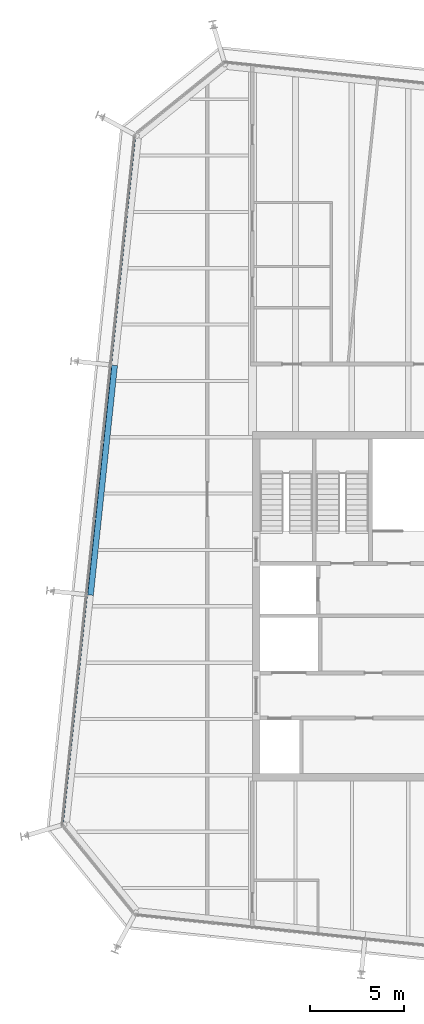
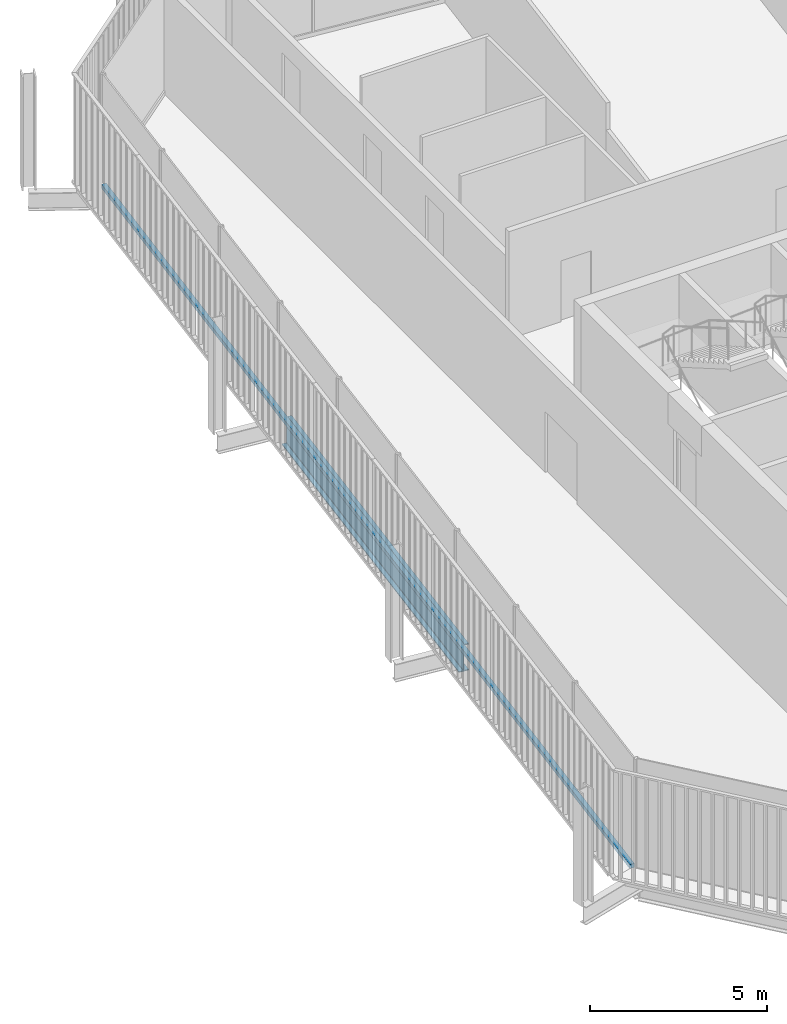
# One storey, part 7 of 19: 1 beam, 1 member, 1 element without a shape of its own.
"""IFC4 building model written with IfcOpenShell, lengths in metres."""

from ifc_helpers import new_model, si_unit, direction, frame, origin, origin_2d, place, context, subcontext, project, spatial, rectangle, i_section, extrude, material, layer, layer_set, material_profile, profile_set, type_object, element, aggregate, save


model = new_model("IFC4")

# Units and contexts
model_context = context("Model", 3, precision=1e-05, world=origin(), true_north=direction((0.0, 1.0)))
body_context = subcontext(model_context, "Body", "Model", "MODEL_VIEW")
ifc_project = project(units=[si_unit("LENGTHUNIT", "METRE"), si_unit("AREAUNIT", "SQUARE_METRE"), si_unit("VOLUMEUNIT", "CUBIC_METRE"), si_unit("PLANEANGLEUNIT", "RADIAN"), si_unit("MASSUNIT", "GRAM", prefix="KILO")], contexts=[model_context])

# Site, building, storey
site_placement = place(None, origin())
site = spatial("IfcSite", under=ifc_project, at=site_placement, CompositionType="ELEMENT")
building_placement = place(site_placement, origin())
building = spatial("IfcBuilding", under=site, at=building_placement, Name="Millrace Tower", CompositionType="ELEMENT")
storey_placement = place(building_placement, frame((0.0, 0.0, 338.199951171875)))
storey = spatial("IfcBuildingStorey", under=building, at=storey_placement, Name="L78", CompositionType="ELEMENT", Elevation=338.199951171875)

# Curtain wall, member
ifc_material_1 = material(Name="Aluminium and glass", Category="aluminium")
ifc_layer = layer(ifc_material_1, 0.14990234375)
ifc_layer_set = layer_set([ifc_layer], Name="Aluminium and glass")
curtain_wall_type = type_object("IfcCurtainWallType", Name="CW-1 office vision curtain wall", PredefinedType="NOTDEFINED", material=ifc_layer_set)
curtain_wall_placement = place(storey_placement, origin())
curtain_wall = element("IfcCurtainWall", 1, at=curtain_wall_placement, inside=storey, type_object=curtain_wall_type, Name="Curtain wall E-F08 L78", PredefinedType="NOTDEFINED")
ifc_material_2 = material(Name="Aluminium", Category="aluminium")
ifc_material_profile_1 = material_profile(ifc_material_2, rectangle(XDim=0.14990234375, YDim=0.139892578125, at=origin_2d()))
ifc_profile_set_1 = profile_set([ifc_material_profile_1], Name="Aluminium")
member_type = type_object("IfcMemberType", Name="CW-1 office vision curtain wall transom", PredefinedType="USERDEFINED", material=ifc_profile_set_1)
member_placement = place(storey_placement, frame((-20.581787109375, 24.9853515625, 0.070068359375), z_axis=(-0.104527916025, -0.994521952886, 0.0), x_axis=(0.994521952886, -0.104527916025, 0.0)))
member = element("IfcMember", 2, at=member_placement, type_object=member_type, Name="CW1 transom E-F08.1", ObjectType="TRANSOM", PredefinedType="USERDEFINED", context=body_context, shape_type="SweptSolid", body=[
    extrude(rectangle(XDim=0.14990234375, YDim=0.139892578125, at=origin_2d()), origin(), (0.0, 0.0, 1.0), 36.699951171875),
])
aggregate(curtain_wall, [member])

# Beam
ifc_material_3 = material(Name="Steel ASTM A992 Grade 50", Category="steel")
ifc_material_profile_2 = material_profile(ifc_material_3, i_section(OverallWidth=0.307373046875, OverallDepth=0.927001953125, WebThickness=0.01953125, FlangeThickness=0.031982421875, FilletRadius=0.01904296875, at=origin_2d()))
ifc_profile_set_2 = profile_set([ifc_material_profile_2], Name="Steel ASTM A992 Grade 50")
beam_type = type_object("IfcBeamType", Name="Ring beam medium span W36x194", PredefinedType="SPANDREL", material=ifc_profile_set_2)
beam_placement = place(storey_placement, frame((-22.915283203125, 0.595703125, -0.62353515625), z_axis=(0.104523600289, 0.994522406476, 0.0), x_axis=(-0.994522406476, 0.104523600289, 0.0)))
element("IfcBeam", 3, at=beam_placement, inside=storey, type_object=beam_type, Name="RNG-E-L78-S1-02", PredefinedType="SPANDREL", context=body_context, shape_type="SweptSolid", body=[
    extrude(i_section(OverallWidth=0.307373046875, OverallDepth=0.927001953125, WebThickness=0.01953125, FlangeThickness=0.031982421875, FilletRadius=0.01904296875, at=origin_2d()), origin(), (0.0, 0.0, 1.0), 12.300048828125),
])

save(model, "model.ifc")
